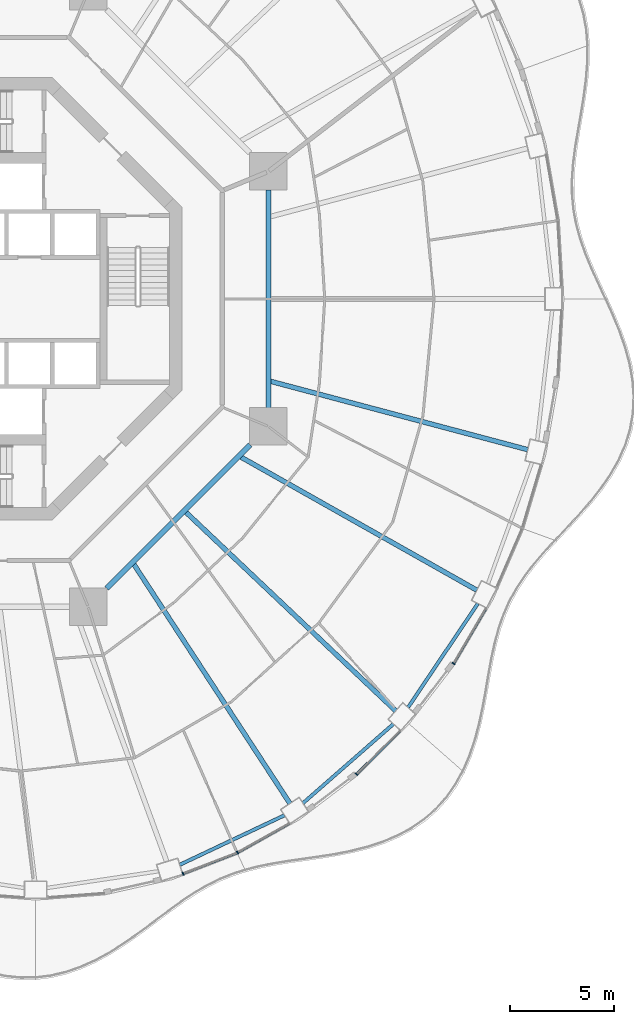
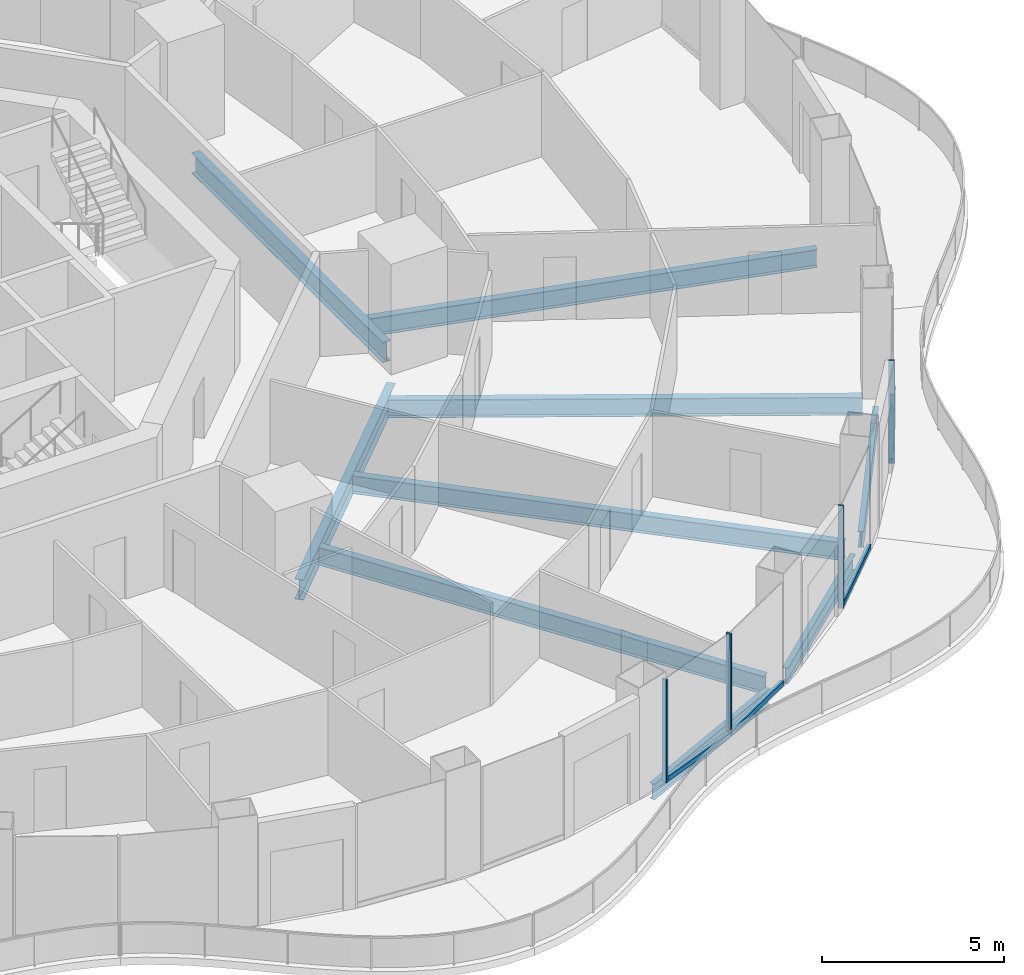
# One storey, part 4 of 19: 9 beams, 8 members, 4 elements without a shape of their own.
"""IFC4 building model written with IfcOpenShell, lengths in metres."""

from ifc_helpers import new_model, si_unit, direction, frame, origin, origin_2d, place, context, subcontext, project, spatial, rectangle, i_section, extrude, material, layer, layer_set, material_profile, profile_set, type_object, element, aggregate, save


model = new_model("IFC4")

# Units and contexts
model_context = context("Model", 3, precision=1e-05, world=origin(), true_north=direction((0.0, 1.0)))
body_context = subcontext(model_context, "Body", "Model", "MODEL_VIEW")
ifc_project = project(units=[si_unit("LENGTHUNIT", "METRE"), si_unit("AREAUNIT", "SQUARE_METRE"), si_unit("VOLUMEUNIT", "CUBIC_METRE"), si_unit("PLANEANGLEUNIT", "RADIAN"), si_unit("MASSUNIT", "GRAM", prefix="KILO")], contexts=[model_context])

# Site, building, storey
site_placement = place(None, origin())
site = spatial("IfcSite", under=ifc_project, at=site_placement, CompositionType="ELEMENT")
building_placement = place(site_placement, origin())
building = spatial("IfcBuilding", under=site, at=building_placement, Name="Nagisa Residences", CompositionType="ELEMENT")
storey_placement = place(building_placement, frame((0.0, 0.0, 199.199951171875)))
storey = spatial("IfcBuildingStorey", under=building, at=storey_placement, Name="L50", CompositionType="ELEMENT", Elevation=199.199951171875)

# Curtain wall, member
ifc_material_1 = material(Name="Concrete-coloured aluminium curtain wall system", Category="concrete")
ifc_layer = layer(ifc_material_1, 0.159912109375)
ifc_layer_set = layer_set([ifc_layer], Name="CW1 CURTAIN WALL")
curtain_wall_type = type_object("IfcCurtainWallType", Name="CW1 CURTAIN WALL", PredefinedType="NOTDEFINED", material=ifc_layer_set)
curtain_wall_1_placement = place(storey_placement, origin())
curtain_wall_1 = element("IfcCurtainWall", 1, at=curtain_wall_1_placement, inside=storey, type_object=curtain_wall_type, Name="cw:CW1:L50:38", PredefinedType="NOTDEFINED")
ifc_material_2 = material(Name="Concrete-coloured aluminium", Category="concrete")
ifc_material_profile_1 = material_profile(ifc_material_2, rectangle(XDim=0.159912109375, YDim=0.06005859375, at=origin_2d()), Name="CW1 MULLION 160x60")
ifc_profile_set_1 = profile_set([ifc_material_profile_1], Name="Concrete-coloured aluminium")
member_type_1 = type_object("IfcMemberType", Name="CW1 MULLION 160x60", PredefinedType="MULLION", material=ifc_profile_set_1)
member_1_placement = place(storey_placement, frame((10.6796875, -27.607421875, 0.0), z_axis=(0.0, 0.0, 1.0), x_axis=(-0.360327770268, 0.932825759707, 0.0)))
member_1 = element("IfcMember", 2, at=member_1_placement, type_object=member_type_1, Name="CW1 mullion", PredefinedType="MULLION", context=body_context, shape_type="SweptSolid", body=[
    extrude(rectangle(XDim=0.159912109375, YDim=0.06005859375, at=origin_2d()), origin(), (0.0, 0.0, 1.0), 3.43994140625),
])

curtain_wall_2_placement = place(storey_placement, origin())
curtain_wall_2 = element("IfcCurtainWall", 3, at=curtain_wall_2_placement, inside=storey, type_object=curtain_wall_type, Name="cw:CW1:L50:39", PredefinedType="NOTDEFINED")
member_2_placement = place(storey_placement, frame((13.297607421875, -26.592529296875, 0.0), z_axis=(0.0, 0.0, 1.0), x_axis=(-0.489376918501, 0.872072377523, 0.0)))
member_2 = element("IfcMember", 4, at=member_2_placement, type_object=member_type_1, Name="CW1 mullion", PredefinedType="MULLION", context=body_context, shape_type="SweptSolid", body=[
    extrude(rectangle(XDim=0.159912109375, YDim=0.06005859375, at=origin_2d()), origin(), (0.0, 0.0, 1.0), 3.43994140625),
])

curtain_wall_3_placement = place(storey_placement, origin())
curtain_wall_3 = element("IfcCurtainWall", 5, at=curtain_wall_3_placement, inside=storey, type_object=curtain_wall_type, Name="cw:CW1:L50:41", PredefinedType="NOTDEFINED")
member_3_placement = place(storey_placement, frame((19.011962890625, -22.830322265625, 0.0), z_axis=(0.0, 0.0, 1.0), x_axis=(-0.706376885714, 0.707835924016, 0.0)))
member_3 = element("IfcMember", 6, at=member_3_placement, type_object=member_type_1, Name="CW1 mullion", PredefinedType="MULLION", context=body_context, shape_type="SweptSolid", body=[
    extrude(rectangle(XDim=0.159912109375, YDim=0.06005859375, at=origin_2d()), origin(), (0.0, 0.0, 1.0), 3.43994140625),
])

curtain_wall_4_placement = place(storey_placement, origin())
curtain_wall_4 = element("IfcCurtainWall", 7, at=curtain_wall_4_placement, inside=storey, type_object=curtain_wall_type, Name="cw:CW1:L50:43", PredefinedType="NOTDEFINED")
member_4_placement = place(storey_placement, frame((23.677490234375, -17.51171875, 0.0), z_axis=(0.0, 0.0, 1.0), x_axis=(-0.862328898214, 0.506348567002, 0.0)))
member_4 = element("IfcMember", 8, at=member_4_placement, type_object=member_type_1, Name="CW1 mullion", PredefinedType="MULLION", context=body_context, shape_type="SweptSolid", body=[
    extrude(rectangle(XDim=0.159912109375, YDim=0.06005859375, at=origin_2d()), origin(), (0.0, 0.0, 1.0), 3.43994140625),
])

# Member
ifc_material_3 = material(Name="Concrete-coloured aluminium", Category="concrete")
ifc_material_profile_2 = material_profile(ifc_material_3, rectangle(XDim=0.1201171875, YDim=0.14990234375, at=origin_2d()), Name="CW1 TRANSOM 120x150")
ifc_profile_set_2 = profile_set([ifc_material_profile_2], Name="Concrete-coloured aluminium")
member_type_2 = type_object("IfcMemberType", Name="CW1 TRANSOM 120x150", PredefinedType="USERDEFINED", material=ifc_profile_set_2)
member_5_placement = place(storey_placement, frame((10.65185546875, -27.618408203125, 0.074951171875), z_axis=(0.932795487898, 0.360406128911, 0.0), x_axis=(-0.360406128911, 0.932795487898, 0.0)))
member_5 = element("IfcMember", 9, at=member_5_placement, type_object=member_type_2, Name="CW1 transom", ObjectType="TRANSOM", PredefinedType="USERDEFINED", context=body_context, shape_type="SweptSolid", body=[
    extrude(rectangle(XDim=0.1201171875, YDim=0.14990234375, at=origin_2d()), origin(), (0.0, 0.0, 1.0), 2.8193359375),
])

aggregate(curtain_wall_1, [member_1, member_5])

member_6_placement = place(storey_placement, frame((13.271484375, -26.607177734375, 0.074951171875), z_axis=(0.872078262455, 0.489366431371, 0.0), x_axis=(-0.489366431371, 0.872078262455, 0.0)))
member_6 = element("IfcMember", 10, at=member_6_placement, type_object=member_type_2, Name="CW1 transom", ObjectType="TRANSOM", PredefinedType="USERDEFINED", context=body_context, shape_type="SweptSolid", body=[
    extrude(rectangle(XDim=0.1201171875, YDim=0.14990234375, at=origin_2d()), origin(), (0.0, 0.0, 1.0), 2.863525390625),
])

aggregate(curtain_wall_2, [member_2, member_6])

member_7_placement = place(storey_placement, frame((18.99072265625, -22.8515625, 0.074951171875), z_axis=(0.707803821372, 0.706409053206, 0.0), x_axis=(-0.706409053206, 0.707803821372, 0.0)))
member_7 = element("IfcMember", 11, at=member_7_placement, type_object=member_type_2, Name="CW1 transom", ObjectType="TRANSOM", PredefinedType="USERDEFINED", context=body_context, shape_type="SweptSolid", body=[
    extrude(rectangle(XDim=0.1201171875, YDim=0.14990234375, at=origin_2d()), origin(), (0.0, 0.0, 1.0), 2.9755859375),
])

aggregate(curtain_wall_3, [member_3, member_7])

member_8_placement = place(storey_placement, frame((23.662353515625, -17.53759765625, 0.074951171875), z_axis=(0.506367803691, 0.862317602386, 0.0), x_axis=(-0.862317602386, 0.506367803691, 0.0)))
member_8 = element("IfcMember", 12, at=member_8_placement, type_object=member_type_2, Name="CW1 transom", ObjectType="TRANSOM", PredefinedType="USERDEFINED", context=body_context, shape_type="SweptSolid", body=[
    extrude(rectangle(XDim=0.1201171875, YDim=0.14990234375, at=origin_2d()), origin(), (0.0, 0.0, 1.0), 3.092041015625),
])

aggregate(curtain_wall_4, [member_4, member_8])

# Beams
ifc_material_4 = material(Name="Steel ASTM A572 Gr 50", Category="steel")
ifc_material_profile_3 = material_profile(ifc_material_4, i_section(OverallWidth=0.25390625, OverallDepth=0.68408203125, WebThickness=0.012451171875, FlangeThickness=0.018798828125, at=origin_2d()), Name="W690x140")
ifc_profile_set_3 = profile_set([ifc_material_profile_3], Name="Steel ASTM A572 Gr 50")
beam_type_1 = type_object("IfcBeamType", Name="Inner ring beam W690x140", PredefinedType="BEAM", material=ifc_profile_set_3)
beam_1_placement = place(storey_placement, frame((7.0087890625, -13.896240234375, -0.60205078125), z_axis=(0.707106781187, 0.707106781187, 0.0), x_axis=(-0.707106781187, 0.707106781187, 0.0)))
element("IfcBeam", 13, at=beam_1_placement, inside=storey, type_object=beam_type_1, Name="beam:L50:ib7", PredefinedType="BEAM", context=body_context, shape_type="SweptSolid", body=[
    extrude(i_section(OverallWidth=0.25390625, OverallDepth=0.68408203125, WebThickness=0.012451171875, FlangeThickness=0.018798828125, at=origin_2d()), origin(), (0.0, 0.0, 1.0), 9.740234375),
])
beam_2_placement = place(storey_placement, frame((14.781982421875, -5.242919921875, -0.60205078125), z_axis=(0.0, 1.0, 0.0), x_axis=(-1.0, 0.0, 0.0)))
element("IfcBeam", 14, at=beam_2_placement, inside=storey, type_object=beam_type_1, Name="beam:L50:ib8", PredefinedType="BEAM", context=body_context, shape_type="SweptSolid", body=[
    extrude(i_section(OverallWidth=0.25390625, OverallDepth=0.68408203125, WebThickness=0.012451171875, FlangeThickness=0.018798828125, at=origin_2d()), origin(), (0.0, 0.0, 1.0), 10.48583984375),
])
ifc_material_5 = material(Name="Steel ASTM A572 Gr 50", Category="steel")
ifc_material_profile_4 = material_profile(ifc_material_5, i_section(OverallWidth=0.166015625, OverallDepth=0.534912109375, WebThickness=0.01025390625, FlangeThickness=0.0166015625, at=origin_2d()), Name="W530x85")
ifc_profile_set_4 = profile_set([ifc_material_profile_4], Name="Steel ASTM A572 Gr 50")
beam_type_2 = type_object("IfcBeamType", Name="Perimeter ring beam W530x85", PredefinedType="BEAM", material=ifc_profile_set_4)
beam_3_placement = place(storey_placement, frame((10.522705078125, -27.17919921875, -0.52734375), z_axis=(0.904157325884, 0.427199637232, 0.0), x_axis=(-0.427199637232, 0.904157325884, 0.0)))
element("IfcBeam", 15, at=beam_3_placement, inside=storey, type_object=beam_type_2, Name="beam:L50:pb20", PredefinedType="BEAM", context=body_context, shape_type="SweptSolid", body=[
    extrude(i_section(OverallWidth=0.166015625, OverallDepth=0.534912109375, WebThickness=0.01025390625, FlangeThickness=0.0166015625, at=origin_2d()), origin(), (0.0, 0.0, 1.0), 5.56396484375),
])
beam_4_placement = place(storey_placement, frame((16.440185546875, -24.220947265625, -0.52734375), z_axis=(0.752461486776, 0.658636250838, 0.0), x_axis=(-0.658636250838, 0.752461486776, 0.0)))
element("IfcBeam", 16, at=beam_4_placement, inside=storey, type_object=beam_type_2, Name="beam:L50:pb21", PredefinedType="BEAM", context=body_context, shape_type="SweptSolid", body=[
    extrude(i_section(OverallWidth=0.166015625, OverallDepth=0.534912109375, WebThickness=0.01025390625, FlangeThickness=0.0166015625, at=origin_2d()), origin(), (0.0, 0.0, 1.0), 5.776611328125),
])
beam_5_placement = place(storey_placement, frame((21.487548828125, -19.62060546875, -0.52734375), z_axis=(0.558152301307, 0.829738518177, 0.0), x_axis=(-0.829738518177, 0.558152301307, 0.0)))
element("IfcBeam", 17, at=beam_5_placement, inside=storey, type_object=beam_type_2, Name="beam:L50:pb22", PredefinedType="BEAM", context=body_context, shape_type="SweptSolid", body=[
    extrude(i_section(OverallWidth=0.166015625, OverallDepth=0.534912109375, WebThickness=0.01025390625, FlangeThickness=0.0166015625, at=origin_2d()), origin(), (0.0, 0.0, 1.0), 6.013916015625),
])
ifc_material_6 = material(Name="Steel ASTM A572 Gr 50", Category="steel")
ifc_material_profile_5 = material_profile(ifc_material_6, i_section(OverallWidth=0.22802734375, OverallDepth=0.60302734375, WebThickness=0.010498046875, FlangeThickness=0.014892578125, at=origin_2d()), Name="W610x101")
ifc_profile_set_5 = profile_set([ifc_material_profile_5], Name="Steel ASTM A572 Gr 50")
beam_type_3 = type_object("IfcBeamType", Name="Radial beam W610x101", PredefinedType="BEAM", material=ifc_profile_set_5)
beam_6_placement = place(storey_placement, frame((15.816162109375, -24.234375, -0.5615234375), z_axis=(-0.546541244511, 0.837432187135, 0.0), x_axis=(-0.837432187135, -0.546541244511, 0.0)))
element("IfcBeam", 18, at=beam_6_placement, inside=storey, type_object=beam_type_3, Name="beam:L50:rb21", PredefinedType="BEAM", context=body_context, shape_type="SweptSolid", body=[
    extrude(i_section(OverallWidth=0.22802734375, OverallDepth=0.60302734375, WebThickness=0.010498046875, FlangeThickness=0.014892578125, at=origin_2d()), origin(), (0.0, 0.0, 1.0), 13.72412109375),
])
beam_7_placement = place(storey_placement, frame((20.89501953125, -19.785400390625, -0.5615234375), z_axis=(-0.726119962477, 0.687568033064, 0.0), x_axis=(-0.687568033064, -0.726119962477, 0.0)))
element("IfcBeam", 19, at=beam_7_placement, inside=storey, type_object=beam_type_3, Name="beam:L50:rb22", PredefinedType="BEAM", context=body_context, shape_type="SweptSolid", body=[
    extrude(i_section(OverallWidth=0.22802734375, OverallDepth=0.60302734375, WebThickness=0.010498046875, FlangeThickness=0.014892578125, at=origin_2d()), origin(), (0.0, 0.0, 1.0), 13.88134765625),
])
beam_8_placement = place(storey_placement, frame((24.789306640625, -13.98828125, -0.5615234375), z_axis=(-0.870904520395, 0.491452252366, 0.0), x_axis=(-0.491452252366, -0.870904520395, 0.0)))
element("IfcBeam", 20, at=beam_8_placement, inside=storey, type_object=beam_type_3, Name="beam:L50:rb23", PredefinedType="BEAM", context=body_context, shape_type="SweptSolid", body=[
    extrude(i_section(OverallWidth=0.22802734375, OverallDepth=0.60302734375, WebThickness=0.010498046875, FlangeThickness=0.014892578125, at=origin_2d()), origin(), (0.0, 0.0, 1.0), 13.007080078125),
])
beam_9_placement = place(storey_placement, frame((27.23583984375, -7.239990234375, -0.5615234375), z_axis=(-0.966436061719, 0.256907256826, 0.0), x_axis=(-0.256907256826, -0.966436061719, 0.0)))
element("IfcBeam", 21, at=beam_9_placement, inside=storey, type_object=beam_type_3, Name="beam:L50:rb24", PredefinedType="BEAM", context=body_context, shape_type="SweptSolid", body=[
    extrude(i_section(OverallWidth=0.22802734375, OverallDepth=0.60302734375, WebThickness=0.010498046875, FlangeThickness=0.014892578125, at=origin_2d()), origin(), (0.0, 0.0, 1.0), 12.77490234375),
])

save(model, "model.ifc")
